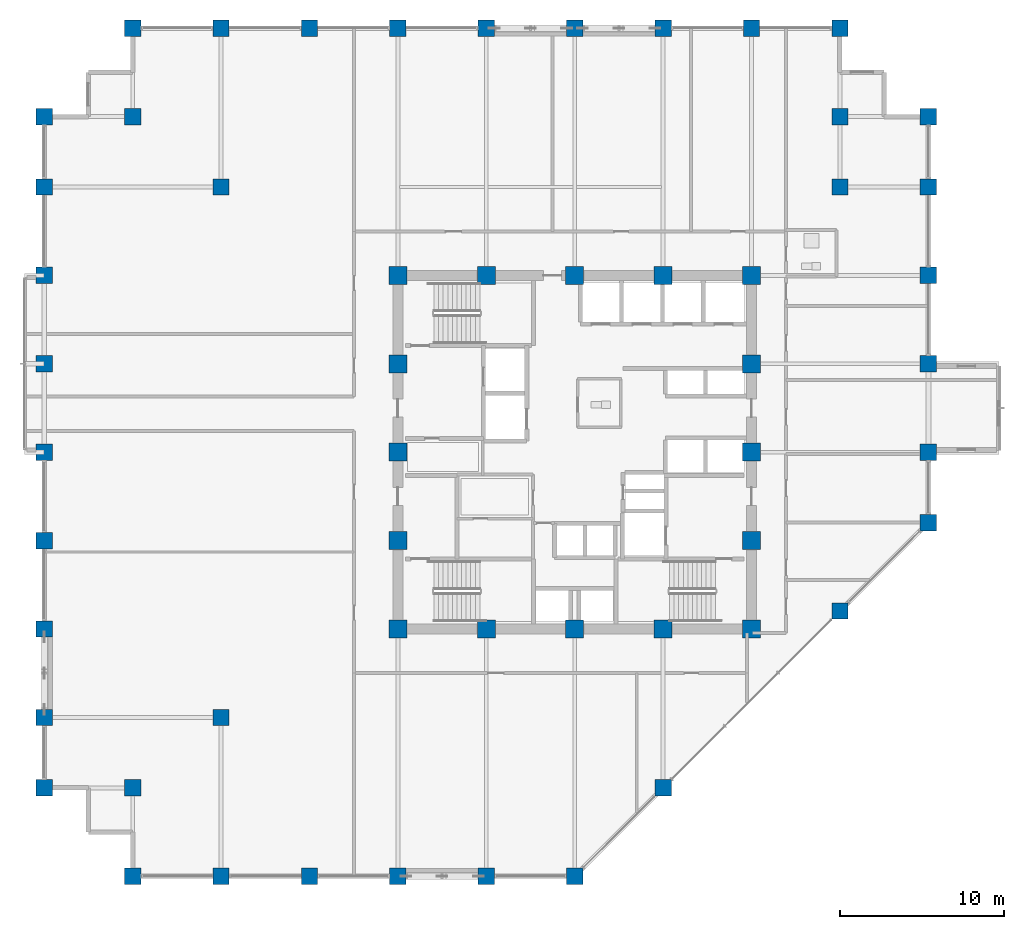
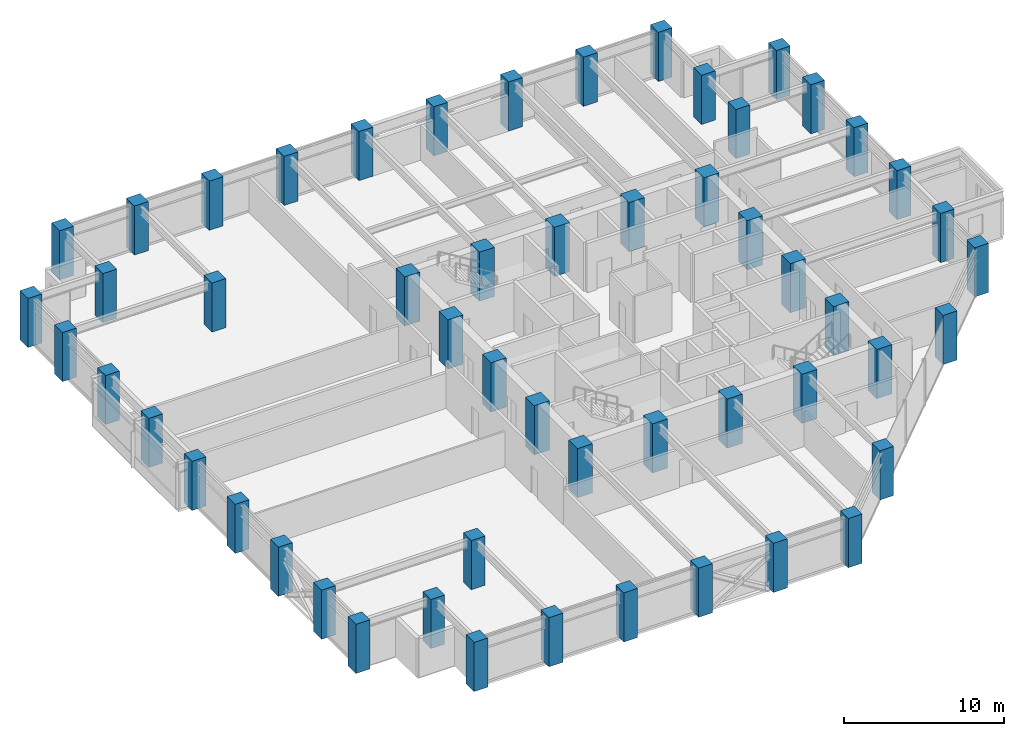
# One storey, part 1 of 26: 54 columns.
"""IFC4 building model written with IfcOpenShell, lengths in metres."""

from ifc_helpers import new_model, si_unit, direction, frame, origin, origin_2d, place, context, subcontext, project, spatial, rectangle, extrude, material, material_profile, profile_set, type_object, element, save


model = new_model("IFC4")

# Units and contexts
model_context = context("Model", 3, precision=1e-05, world=origin(), true_north=direction((0.0, 1.0)))
body_context = subcontext(model_context, "Body", "Model", "MODEL_VIEW")
ifc_project = project(units=[si_unit("LENGTHUNIT", "METRE"), si_unit("AREAUNIT", "SQUARE_METRE"), si_unit("VOLUMEUNIT", "CUBIC_METRE"), si_unit("PLANEANGLEUNIT", "RADIAN"), si_unit("MASSUNIT", "GRAM", prefix="KILO")], contexts=[model_context])

# Site, building, storey
site_placement = place(None, origin())
site = spatial("IfcSite", under=ifc_project, at=site_placement, CompositionType="ELEMENT")
building_placement = place(site_placement, origin())
building = spatial("IfcBuilding", under=site, at=building_placement, Name="Surkhivell Harbour Commons", CompositionType="ELEMENT")
storey_placement = place(building_placement, frame((0.0, 0.0, 143.25)))
storey = spatial("IfcBuildingStorey", under=building, at=storey_placement, Name="L37", CompositionType="ELEMENT", Elevation=143.25)

# Columns
ifc_material = material(Name="Concrete C60/75", Category="concrete")
ifc_material_profile_1 = material_profile(ifc_material, rectangle(XDim=1.10009765625, YDim=1.10009765625, at=origin_2d()), Name="RC-COL-1100x1100")
ifc_profile_set_1 = profile_set([ifc_material_profile_1], Name="Concrete C60/75")
column_type_1 = type_object("IfcColumnType", Name="COL-TUBE-Z2A", PredefinedType="COLUMN", material=ifc_profile_set_1)
for number, where, z_axis, x_axis, name in (
    (1, (-10.800048828125, -10.800048828125, 0.0), (0.0, 0.0, 1.0), (1.0, 0.0, 0.0), "L37 Column CT-2A (-10.8,-10.8)"),
    (2, (-10.800048828125, -5.39990234375, 0.0), (0.0, 0.0, 1.0), (1.0, 0.0, 0.0), "L37 Column CT-2A (-10.8,-5.4)"),
    (3, (-10.800048828125, 0.0, 0.0), (0.0, 0.0, 1.0), (1.0, 0.0, 0.0), "L37 Column CT-2A (-10.8,0.0)"),
    (4, (-10.800048828125, 5.39990234375, 0.0), (0.0, 0.0, 1.0), (1.0, 0.0, 0.0), "L37 Column CT-2A (-10.8,5.4)"),
    (5, (-10.800048828125, 10.800048828125, 0.0), (0.0, 0.0, 1.0), (1.0, 0.0, 0.0), "L37 Column CT-2A (-10.8,10.8)"),
    (6, (-5.39990234375, -10.800048828125, 0.0), (0.0, 0.0, 1.0), (1.0, 0.0, 0.0), "L37 Column CT-2A (-5.4,-10.8)"),
    (7, (-5.39990234375, 10.800048828125, 0.0), (0.0, 0.0, 1.0), (1.0, 0.0, 0.0), "L37 Column CT-2A (-5.4,10.8)"),
    (8, (0.0, -10.800048828125, 0.0), (0.0, 0.0, 1.0), (1.0, 0.0, 0.0), "L37 Column CT-2A (0.0,-10.8)"),
    (9, (0.0, 10.800048828125, 0.0), (0.0, 0.0, 1.0), (1.0, 0.0, 0.0), "L37 Column CT-2A (0.0,10.8)"),
    (10, (5.39990234375, -10.800048828125, 0.0), (0.0, 0.0, 1.0), (1.0, 0.0, 0.0), "L37 Column CT-2A (5.4,-10.8)"),
    (11, (5.39990234375, 10.800048828125, 0.0), (0.0, 0.0, 1.0), (1.0, 0.0, 0.0), "L37 Column CT-2A (5.4,10.8)"),
    (12, (10.800048828125, -10.800048828125, 0.0), (0.0, 0.0, 1.0), (1.0, 0.0, 0.0), "L37 Column CT-2A (10.8,-10.8)"),
    (13, (10.800048828125, -5.39990234375, 0.0), (0.0, 0.0, 1.0), (1.0, 0.0, 0.0), "L37 Column CT-2A (10.8,-5.4)"),
    (14, (10.800048828125, 0.0, 0.0), (0.0, 0.0, 1.0), (1.0, 0.0, 0.0), "L37 Column CT-2A (10.8,0.0)"),
    (15, (10.800048828125, 5.39990234375, 0.0), (0.0, 0.0, 1.0), (1.0, 0.0, 0.0), "L37 Column CT-2A (10.8,5.4)"),
    (16, (10.800048828125, 10.800048828125, 0.0), (0.0, 0.0, 1.0), (1.0, 0.0, 0.0), "L37 Column CT-2A (10.8,10.8)"),
):
    element("IfcColumn", number, at=place(storey_placement, frame(where, z_axis=z_axis, x_axis=x_axis)), inside=storey, type_object=column_type_1, Name=name, PredefinedType="COLUMN", context=body_context, shape_type="SweptSolid", body=[
        extrude(rectangle(XDim=1.10009765625, YDim=1.10009765625, at=origin_2d()), origin(), (0.0, 0.0, 1.0), 3.75),
    ])
ifc_material_profile_2 = material_profile(ifc_material, rectangle(XDim=1.0, YDim=1.0, at=origin_2d()), Name="RC-COL-1000x1000")
ifc_profile_set_2 = profile_set([ifc_material_profile_2], Name="Concrete C60/75")
column_type_2 = type_object("IfcColumnType", Name="COL-TUBE-Z2B", PredefinedType="COLUMN", material=ifc_profile_set_2)
for number, where, z_axis, x_axis, name in (
    (17, (-32.39990234375, -20.5, 0.0), (0.0, 0.0, 1.0), (1.0, 0.0, 0.0), "L37 Column CT-2B (-32.4,-20.5)"),
    (18, (-32.39990234375, -16.199951171875, 0.0), (0.0, 0.0, 1.0), (1.0, 0.0, 0.0), "L37 Column CT-2B (-32.4,-16.2)"),
    (19, (-32.39990234375, -10.800048828125, 0.0), (0.0, 0.0, 1.0), (1.0, 0.0, 0.0), "L37 Column CT-2B (-32.4,-10.8)"),
    (20, (-32.39990234375, -5.39990234375, 0.0), (0.0, 0.0, 1.0), (1.0, 0.0, 0.0), "L37 Column CT-2B (-32.4,-5.4)"),
    (21, (-32.39990234375, 0.0, 0.0), (0.0, 0.0, 1.0), (1.0, 0.0, 0.0), "L37 Column CT-2B (-32.4,0.0)"),
    (22, (-32.39990234375, 5.39990234375, 0.0), (0.0, 0.0, 1.0), (1.0, 0.0, 0.0), "L37 Column CT-2B (-32.4,5.4)"),
    (23, (-32.39990234375, 10.800048828125, 0.0), (0.0, 0.0, 1.0), (1.0, 0.0, 0.0), "L37 Column CT-2B (-32.4,10.8)"),
    (24, (-32.39990234375, 16.199951171875, 0.0), (0.0, 0.0, 1.0), (1.0, 0.0, 0.0), "L37 Column CT-2B (-32.4,16.2)"),
    (25, (-32.39990234375, 20.5, 0.0), (0.0, 0.0, 1.0), (1.0, 0.0, 0.0), "L37 Column CT-2B (-32.4,20.5)"),
    (26, (-27.0, -25.89990234375, 0.0), (0.0, 0.0, 1.0), (1.0, 0.0, 0.0), "L37 Column CT-2B (-27.0,-25.9)"),
    (27, (-27.0, -20.5, 0.0), (0.0, 0.0, 1.0), (1.0, 0.0, 0.0), "L37 Column CT-2B (-27.0,-20.5)"),
    (28, (-27.0, 20.5, 0.0), (0.0, 0.0, 1.0), (1.0, 0.0, 0.0), "L37 Column CT-2B (-27.0,20.5)"),
    (29, (-27.0, 25.89990234375, 0.0), (0.0, 0.0, 1.0), (1.0, 0.0, 0.0), "L37 Column CT-2B (-27.0,25.9)"),
    (30, (-21.60009765625, -25.89990234375, 0.0), (0.0, 0.0, 1.0), (1.0, 0.0, 0.0), "L37 Column CT-2B (-21.6,-25.9)"),
    (31, (-21.60009765625, -16.199951171875, 0.0), (0.0, 0.0, 1.0), (1.0, 0.0, 0.0), "L37 Column CT-2B (-21.6,-16.2)"),
    (32, (-21.60009765625, 16.199951171875, 0.0), (0.0, 0.0, 1.0), (1.0, 0.0, 0.0), "L37 Column CT-2B (-21.6,16.2)"),
    (33, (-21.60009765625, 25.89990234375, 0.0), (0.0, 0.0, 1.0), (1.0, 0.0, 0.0), "L37 Column CT-2B (-21.6,25.9)"),
    (34, (-16.199951171875, -25.89990234375, 0.0), (0.0, 0.0, 1.0), (1.0, 0.0, 0.0), "L37 Column CT-2B (-16.2,-25.9)"),
    (35, (-16.199951171875, 25.89990234375, 0.0), (0.0, 0.0, 1.0), (1.0, 0.0, 0.0), "L37 Column CT-2B (-16.2,25.9)"),
    (36, (-10.800048828125, -25.89990234375, 0.0), (0.0, 0.0, 1.0), (1.0, 0.0, 0.0), "L37 Column CT-2B (-10.8,-25.9)"),
    (37, (-10.800048828125, 25.89990234375, 0.0), (0.0, 0.0, 1.0), (1.0, 0.0, 0.0), "L37 Column CT-2B (-10.8,25.9)"),
    (38, (-5.39990234375, -25.89990234375, 0.0), (0.0, 0.0, 1.0), (1.0, 0.0, 0.0), "L37 Column CT-2B (-5.4,-25.9)"),
    (39, (-5.39990234375, 25.89990234375, 0.0), (0.0, 0.0, 1.0), (1.0, 0.0, 0.0), "L37 Column CT-2B (-5.4,25.9)"),
    (40, (0.0, -25.89990234375, 0.0), (0.0, 0.0, 1.0), (1.0, 0.0, 0.0), "L37 Column CT-2B (-0.0,-25.9)"),
    (41, (0.0, 25.89990234375, 0.0), (0.0, 0.0, 1.0), (1.0, 0.0, 0.0), "L37 Column CT-2B (-0.0,25.9)"),
    (42, (5.39990234375, -20.5, 0.0), (0.0, 0.0, 1.0), (1.0, 0.0, 0.0), "L37 Column CT-2B (5.4,-20.5)"),
    (43, (5.39990234375, 25.89990234375, 0.0), (0.0, 0.0, 1.0), (1.0, 0.0, 0.0), "L37 Column CT-2B (5.4,25.9)"),
    (44, (10.800048828125, 25.89990234375, 0.0), (0.0, 0.0, 1.0), (1.0, 0.0, 0.0), "L37 Column CT-2B (10.8,25.9)"),
    (45, (16.199951171875, -9.699951171875, 0.0), (0.0, 0.0, 1.0), (1.0, 0.0, 0.0), "L37 Column CT-2B (16.2,-9.7)"),
    (46, (16.199951171875, 16.199951171875, 0.0), (0.0, 0.0, 1.0), (1.0, 0.0, 0.0), "L37 Column CT-2B (16.2,16.2)"),
    (47, (16.199951171875, 20.5, 0.0), (0.0, 0.0, 1.0), (1.0, 0.0, 0.0), "L37 Column CT-2B (16.2,20.5)"),
    (48, (16.199951171875, 25.89990234375, 0.0), (0.0, 0.0, 1.0), (1.0, 0.0, 0.0), "L37 Column CT-2B (16.2,25.9)"),
    (49, (21.60009765625, -4.300048828125, 0.0), (0.0, 0.0, 1.0), (1.0, 0.0, 0.0), "L37 Column CT-2B (21.6,-4.3)"),
    (50, (21.60009765625, 0.0, 0.0), (0.0, 0.0, 1.0), (1.0, 0.0, 0.0), "L37 Column CT-2B (21.6,0.0)"),
    (51, (21.60009765625, 5.39990234375, 0.0), (0.0, 0.0, 1.0), (1.0, 0.0, 0.0), "L37 Column CT-2B (21.6,5.4)"),
    (52, (21.60009765625, 10.800048828125, 0.0), (0.0, 0.0, 1.0), (1.0, 0.0, 0.0), "L37 Column CT-2B (21.6,10.8)"),
    (53, (21.60009765625, 16.199951171875, 0.0), (0.0, 0.0, 1.0), (1.0, 0.0, 0.0), "L37 Column CT-2B (21.6,16.2)"),
    (54, (21.60009765625, 20.5, 0.0), (0.0, 0.0, 1.0), (1.0, 0.0, 0.0), "L37 Column CT-2B (21.6,20.5)"),
):
    element("IfcColumn", number, at=place(storey_placement, frame(where, z_axis=z_axis, x_axis=x_axis)), inside=storey, type_object=column_type_2, Name=name, PredefinedType="COLUMN", context=body_context, shape_type="SweptSolid", body=[
        extrude(rectangle(XDim=1.0, YDim=1.0, at=origin_2d()), origin(), (0.0, 0.0, 1.0), 3.75),
    ])

save(model, "model.ifc")
